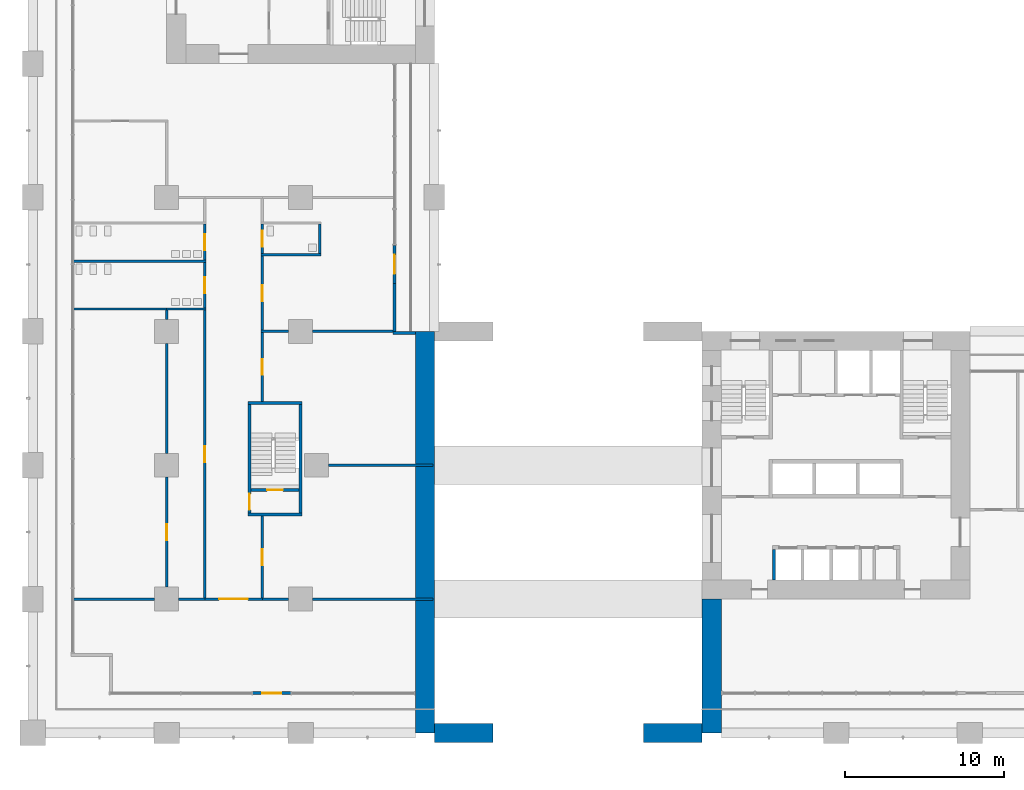
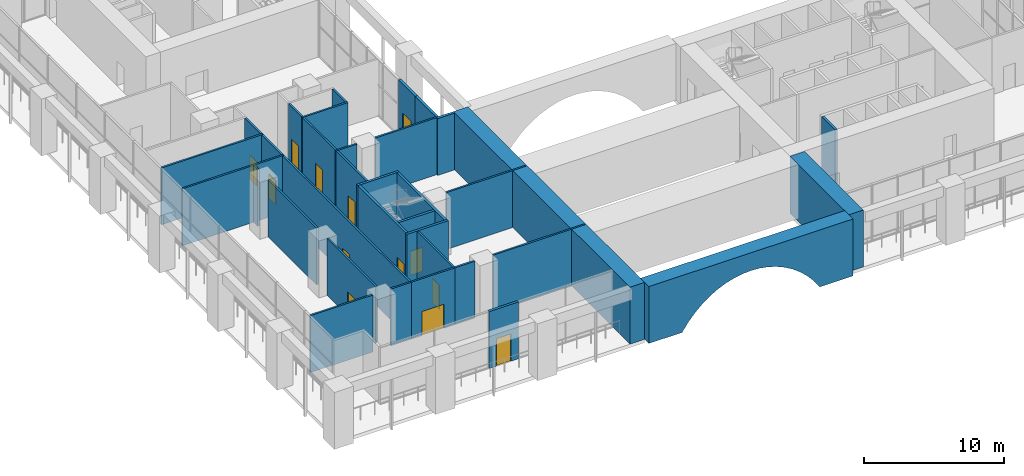
# One storey, part 10 of 26: 36 walls, 13 doors, 13 openings.
"""IFC4 building model written with IfcOpenShell, lengths in metres."""

from ifc_helpers import new_model, si_unit, direction, frame, frame_2d, origin, place, context, subcontext, project, spatial, polyline, rectangle, outline, extrude, material, layer, layer_set, type_object, element, fill, save


model = new_model("IFC4")

# Units and contexts
model_context = context("Model", 3, precision=1e-05, world=origin(), true_north=direction((0.0, 1.0)))
body_context = subcontext(model_context, "Body", "Model", "MODEL_VIEW")
ifc_project = project(units=[si_unit("LENGTHUNIT", "METRE"), si_unit("AREAUNIT", "SQUARE_METRE"), si_unit("VOLUMEUNIT", "CUBIC_METRE"), si_unit("PLANEANGLEUNIT", "RADIAN"), si_unit("MASSUNIT", "GRAM", prefix="KILO")], contexts=[model_context])

# Site, building, storey
site_placement = place(None, origin())
site = spatial("IfcSite", under=ifc_project, at=site_placement, CompositionType="ELEMENT")
building_placement = place(site_placement, origin())
building = spatial("IfcBuilding", under=site, at=building_placement, Name="Vermilion Gate Residences", CompositionType="ELEMENT")
storey_placement = place(building_placement, frame((0.0, 0.0, 9.0)))
storey = spatial("IfcBuildingStorey", under=building, at=storey_placement, Name="L01", CompositionType="ELEMENT", Elevation=9.0)

# Wall, opening, door
ifc_material_1 = material(Name="Insulated steel stud wall with terracotta rainscreen", Category="masonry")
ifc_layer_1 = layer(ifc_material_1, 0.199951171875)
ifc_layer_set_1 = layer_set([ifc_layer_1], Name="EXTERNAL WALL 200 TERRACOTTA RAINSCREEN")
wall_type_1 = type_object("IfcWallType", Name="EXTERNAL WALL 200 TERRACOTTA RAINSCREEN", PredefinedType="SOLIDWALL", material=ifc_layer_set_1)
wall_1_placement = place(storey_placement, frame((13.800048828125, 2.5, 0.0), z_axis=(0.0, 0.0, 1.0), x_axis=(1.0, 0.0, 0.0)))
wall_1 = element("IfcWall", 1, at=wall_1_placement, inside=storey, type_object=wall_type_1, Name="External wall", PredefinedType="SOLIDWALL", context=body_context, shape_type="SweptSolid", body=[
    extrude(rectangle(XDim=2.39990234375, YDim=0.199951171875, at=frame_2d((1.199951171875, 0.0))), origin(), (0.0, 0.0, 1.0), 4.949951171875),
])
opening_1_placement = place(wall_1_placement, frame((0.60009765625, 0.0, 0.0)))
opening_1 = element("IfcOpeningElement", 2, at=opening_1_placement, cuts=wall_1, Name="Opening DE01001", PredefinedType="OPENING", context=body_context, shape_type="SweptSolid", body=[
    extrude(rectangle(XDim=1.199951171875, YDim=2.39990234375, at=frame_2d((0.60009765625, 1.199951171875))), frame((0.0, 0.10986328125, 0.0), z_axis=(0.0, -1.0, 0.0), x_axis=(1.0, 0.0, 0.0)), (0.0, 0.0, 1.0), 0.219970703125),
])
ifc_material_2 = material(Name="Aluminium and clear glass", Category="aluminium")
door_type_1 = type_object("IfcDoorType", Name="GLAZED EXTERNAL DOOR 1200 X 2400", OperationType="SINGLE_SWING_LEFT", PredefinedType="DOOR", material=ifc_material_2)
door_1_placement = place(opening_1_placement, frame((1.199951171875, 0.0, 0.0), z_axis=(0.0, 0.0, 1.0), x_axis=(-1.0, 0.0, 0.0)))
door_1 = element("IfcDoor", 3, at=door_1_placement, inside=storey, type_object=door_type_1, Name="Terrace door", OperationType="SINGLE_SWING_RIGHT", OverallHeight=2.39990234375, OverallWidth=1.199951171875, PredefinedType="DOOR", context=body_context, shape_type="SweptSolid", body=[
    extrude(rectangle(XDim=1.199951171875, YDim=2.39990234375, at=frame_2d((0.60009765625, 1.199951171875))), frame((0.0, 0.02490234375, 0.0), z_axis=(0.0, -1.0, 0.0), x_axis=(1.0, 0.0, 0.0)), (0.0, 0.0, 1.0), 0.050048828125),
])
fill(opening_1, door_1)

# Walls
wall_2_placement = place(storey_placement, frame((24.0, 25.10009765625, 0.0), z_axis=(0.0, 0.0, 1.0), x_axis=(-1.0, 0.0, 0.0)))
element("IfcWall", 4, at=wall_2_placement, inside=storey, type_object=wall_type_1, Name="External wall", PredefinedType="SOLIDWALL", context=body_context, shape_type="SweptSolid", body=[
    extrude(rectangle(XDim=1.39990234375, YDim=0.199951171875, at=frame_2d((0.699951171875, 0.0))), origin(), (0.0, 0.0, 1.0), 4.949951171875),
])
wall_3_placement = place(storey_placement, frame((22.699951171875, 25.199951171875, 0.0), z_axis=(0.0, 0.0, 1.0), x_axis=(0.0, 1.0, 0.0)))
element("IfcWall", 5, at=wall_3_placement, inside=storey, type_object=wall_type_1, Name="External wall", PredefinedType="SOLIDWALL", context=body_context, shape_type="SweptSolid", body=[
    extrude(rectangle(XDim=3.0, YDim=0.199951171875, at=frame_2d((1.5, 0.0))), origin(), (0.0, 0.0, 1.0), 4.949951171875),
])

# Wall, opening, door
wall_4_placement = place(storey_placement, frame((22.699951171875, 28.199951171875, 0.0), z_axis=(0.0, 0.0, 1.0), x_axis=(0.0, 1.0, 0.0)))
wall_4 = element("IfcWall", 6, at=wall_4_placement, inside=storey, type_object=wall_type_1, Name="External wall", PredefinedType="SOLIDWALL", context=body_context, shape_type="SweptSolid", body=[
    extrude(rectangle(XDim=2.400146484375, YDim=0.199951171875, at=frame_2d((1.2001953125, 0.0))), origin(), (0.0, 0.0, 1.0), 4.949951171875),
])
opening_2_placement = place(wall_4_placement, frame((0.60009765625, 0.0, 0.0)))
opening_2 = element("IfcOpeningElement", 7, at=opening_2_placement, cuts=wall_4, Name="Opening DE01002", PredefinedType="OPENING", context=body_context, shape_type="SweptSolid", body=[
    extrude(rectangle(XDim=1.199951171875, YDim=2.39990234375, at=frame_2d((0.60009765625, 1.199951171875))), frame((0.0, 0.10986328125, 0.0), z_axis=(0.0, -1.0, 0.0), x_axis=(1.0, 0.0, 0.0)), (0.0, 0.0, 1.0), 0.219970703125),
])
door_2_placement = place(opening_2_placement, frame((1.199951171875, 0.0, 0.0), z_axis=(0.0, 0.0, 1.0), x_axis=(-1.0, 0.0, 0.0)))
door_2 = element("IfcDoor", 8, at=door_2_placement, inside=storey, type_object=door_type_1, Name="Terrace door", OperationType="SINGLE_SWING_RIGHT", OverallHeight=2.39990234375, OverallWidth=1.199951171875, PredefinedType="DOOR", context=body_context, shape_type="SweptSolid", body=[
    extrude(rectangle(XDim=1.199951171875, YDim=2.39990234375, at=frame_2d((0.60009765625, 1.199951171875))), frame((0.0, 0.02490234375, 0.0), z_axis=(0.0, -1.0, 0.0), x_axis=(1.0, 0.0, 0.0)), (0.0, 0.0, 1.0), 0.050048828125),
])
fill(opening_2, door_2)

# Walls
ifc_material_3 = material(Name="Gypsum board on steel studs", Category="steel")
ifc_layer_2 = layer(ifc_material_3, 0.14990234375)
ifc_layer_set_2 = layer_set([ifc_layer_2], Name="PARTITION 150 EI 60 (AMENITY)")
wall_type_2 = type_object("IfcWallType", Name="PARTITION 150 EI 60 (AMENITY)", PredefinedType="PARTITIONING", material=ifc_layer_set_2)
wall_5_placement = place(storey_placement, frame((2.5, 8.39990234375, 0.0), z_axis=(0.0, 0.0, 1.0), x_axis=(1.0, 0.0, 0.0)))
element("IfcWall", 9, at=wall_5_placement, inside=storey, type_object=wall_type_2, Name="Partition 1", PredefinedType="PARTITIONING", context=body_context, shape_type="SweptSolid", body=[
    extrude(rectangle(XDim=5.14990234375, YDim=0.14990234375, at=frame_2d((2.574951171875, 0.0))), origin(), (0.0, 0.0, 1.0), 4.949951171875),
])
wall_6_placement = place(storey_placement, frame((2.5, 26.60009765625, 0.0), z_axis=(0.0, 0.0, 1.0), x_axis=(1.0, 0.0, 0.0)))
element("IfcWall", 10, at=wall_6_placement, inside=storey, type_object=wall_type_2, Name="Partition 2", PredefinedType="PARTITIONING", context=body_context, shape_type="SweptSolid", body=[
    extrude(rectangle(XDim=5.89990234375, YDim=0.14990234375, at=frame_2d((2.949951171875, 0.0))), origin(), (0.0, 0.0, 1.0), 4.949951171875),
])
wall_7_placement = place(storey_placement, frame((2.5, 29.60009765625, 0.0), z_axis=(0.0, 0.0, 1.0), x_axis=(1.0, 0.0, 0.0)))
element("IfcWall", 11, at=wall_7_placement, inside=storey, type_object=wall_type_2, Name="Partition 3", PredefinedType="PARTITIONING", context=body_context, shape_type="SweptSolid", body=[
    extrude(rectangle(XDim=8.375, YDim=0.14990234375, at=frame_2d((4.1875, 0.0))), origin(), (0.0, 0.0, 1.0), 4.949951171875),
])

# Wall, opening, door
wall_8_placement = place(storey_placement, frame((8.39990234375, 9.14990234375, 0.0), z_axis=(0.0, 0.0, 1.0), x_axis=(0.0, 1.0, 0.0)))
wall_8 = element("IfcWall", 12, at=wall_8_placement, inside=storey, type_object=wall_type_2, Name="Partition 6", PredefinedType="PARTITIONING", context=body_context, shape_type="SweptSolid", body=[
    extrude(rectangle(XDim=6.900146484375, YDim=0.14990234375, at=frame_2d((3.4501953125, 0.0))), origin(), (0.0, 0.0, 1.0), 4.949951171875),
])
opening_3_placement = place(wall_8_placement, frame((2.949951171875, 0.0, 0.0)))
opening_3 = element("IfcOpeningElement", 13, at=opening_3_placement, cuts=wall_8, Name="Opening DM01001", PredefinedType="OPENING", context=body_context, shape_type="SweptSolid", body=[
    extrude(rectangle(XDim=1.0, YDim=2.10009765625, at=frame_2d((0.5, 1.050048828125))), frame((0.0, 0.0849609375, 0.0), z_axis=(0.0, -1.0, 0.0), x_axis=(1.0, 0.0, 0.0)), (0.0, 0.0, 1.0), 0.169921875),
])
ifc_material_4 = material(Name="Steel", Category="steel")
door_type_2 = type_object("IfcDoorType", Name="DOOR 1000 X 2100 FD30 (AMENITY)", OperationType="SINGLE_SWING_LEFT", PredefinedType="DOOR", material=ifc_material_4)
door_3_placement = place(opening_3_placement, frame((1.0, 0.0, 0.0), z_axis=(0.0, 0.0, 1.0), x_axis=(-1.0, 0.0, 0.0)))
door_3 = element("IfcDoor", 14, at=door_3_placement, inside=storey, type_object=door_type_2, Name="Door L01 1", OperationType="SINGLE_SWING_LEFT", OverallHeight=2.10009765625, OverallWidth=1.0, PredefinedType="DOOR", context=body_context, shape_type="SweptSolid", body=[
    extrude(rectangle(XDim=1.0, YDim=2.10009765625, at=frame_2d((0.5, 1.050048828125))), frame((0.0, 0.02490234375, 0.0), z_axis=(0.0, -1.0, 0.0), x_axis=(1.0, 0.0, 0.0)), (0.0, 0.0, 1.0), 0.050048828125),
])
fill(opening_3, door_3)

# Walls
wall_9_placement = place(storey_placement, frame((8.39990234375, 17.550048828125, 0.0), z_axis=(0.0, 0.0, 1.0), x_axis=(0.0, 1.0, 0.0)))
element("IfcWall", 15, at=wall_9_placement, inside=storey, type_object=wall_type_2, Name="Partition 7", PredefinedType="PARTITIONING", context=body_context, shape_type="SweptSolid", body=[
    extrude(rectangle(XDim=6.89990234375, YDim=0.14990234375, at=frame_2d((3.449951171875, 0.0))), origin(), (0.0, 0.0, 1.0), 4.949951171875),
])
wall_10_placement = place(storey_placement, frame((8.39990234375, 25.949951171875, 0.0), z_axis=(0.0, 0.0, 1.0), x_axis=(0.0, 1.0, 0.0)))
element("IfcWall", 16, at=wall_10_placement, inside=storey, type_object=wall_type_2, Name="Partition 8", PredefinedType="PARTITIONING", context=body_context, shape_type="SweptSolid", body=[
    extrude(rectangle(XDim=0.574951171875, YDim=0.14990234375, at=frame_2d((0.28759765625, 0.0))), origin(), (0.0, 0.0, 1.0), 4.949951171875),
])
wall_11_placement = place(storey_placement, frame((9.14990234375, 8.39990234375, 0.0), z_axis=(0.0, 0.0, 1.0), x_axis=(1.0, 0.0, 0.0)))
element("IfcWall", 17, at=wall_11_placement, inside=storey, type_object=wall_type_2, Name="Partition 9", PredefinedType="PARTITIONING", context=body_context, shape_type="SweptSolid", body=[
    extrude(rectangle(XDim=1.650146484375, YDim=0.14990234375, at=frame_2d((0.8251953125, 0.0))), origin(), (0.0, 0.0, 1.0), 4.949951171875),
])
wall_12_placement = place(storey_placement, frame((8.39990234375, 26.60009765625, 0.0), z_axis=(0.0, 0.0, 1.0), x_axis=(1.0, 0.0, 0.0)))
element("IfcWall", 18, at=wall_12_placement, inside=storey, type_object=wall_type_2, Name="Partition 10", PredefinedType="PARTITIONING", context=body_context, shape_type="SweptSolid", body=[
    extrude(rectangle(XDim=2.47509765625, YDim=0.14990234375, at=frame_2d((1.237548828125, 0.0))), origin(), (0.0, 0.0, 1.0), 4.949951171875),
])

# Wall, opening, door
wall_13_placement = place(storey_placement, frame((10.800048828125, 8.47509765625, 0.0), z_axis=(0.0, 0.0, 1.0), x_axis=(0.0, 1.0, 0.0)))
wall_13 = element("IfcWall", 19, at=wall_13_placement, inside=storey, type_object=wall_type_2, Name="Partition 13", PredefinedType="PARTITIONING", context=body_context, shape_type="SweptSolid", body=[
    extrude(rectangle(XDim=18.0498046875, YDim=0.14990234375, at=frame_2d((9.02490234375, 0.0))), origin(), (0.0, 0.0, 1.0), 4.949951171875),
])
opening_4_placement = place(wall_13_placement, frame((8.52490234375, 0.0, 0.0)))
opening_4 = element("IfcOpeningElement", 20, at=opening_4_placement, cuts=wall_13, Name="Opening DM01002", PredefinedType="OPENING", context=body_context, shape_type="SweptSolid", body=[
    extrude(rectangle(XDim=1.0, YDim=2.10009765625, at=frame_2d((0.5, 1.050048828125))), frame((0.0, 0.0849609375, 0.0), z_axis=(0.0, -1.0, 0.0), x_axis=(1.0, 0.0, 0.0)), (0.0, 0.0, 1.0), 0.169921875),
])
door_4_placement = place(opening_4_placement, origin())
door_4 = element("IfcDoor", 21, at=door_4_placement, inside=storey, type_object=door_type_2, Name="Door L01 2", OperationType="SINGLE_SWING_LEFT", OverallHeight=2.10009765625, OverallWidth=1.0, PredefinedType="DOOR", context=body_context, shape_type="SweptSolid", body=[
    extrude(rectangle(XDim=1.0, YDim=2.10009765625, at=frame_2d((0.5, 1.050048828125))), frame((0.0, 0.02490234375, 0.0), z_axis=(0.0, -1.0, 0.0), x_axis=(1.0, 0.0, 0.0)), (0.0, 0.0, 1.0), 0.050048828125),
])
fill(opening_4, door_4)

wall_14_placement = place(storey_placement, frame((10.800048828125, 8.39990234375, 0.0), z_axis=(0.0, 0.0, 1.0), x_axis=(1.0, 0.0, 0.0)))
wall_14 = element("IfcWall", 22, at=wall_14_placement, inside=storey, type_object=wall_type_2, Name="Partition 14", PredefinedType="PARTITIONING", context=body_context, shape_type="SweptSolid", body=[
    extrude(rectangle(XDim=3.599853515625, YDim=0.14990234375, at=frame_2d((1.7998046875, 0.0))), origin(), (0.0, 0.0, 1.0), 4.949951171875),
])
opening_5_placement = place(wall_14_placement, frame((0.89990234375, 0.0, 0.0)))
opening_5 = element("IfcOpeningElement", 23, at=opening_5_placement, cuts=wall_14, Name="Opening DM01009", PredefinedType="OPENING", context=body_context, shape_type="SweptSolid", body=[
    extrude(rectangle(XDim=1.800048828125, YDim=2.10009765625, at=frame_2d((0.89990234375, 1.050048828125))), frame((0.0, 0.0849609375, 0.0), z_axis=(0.0, -1.0, 0.0), x_axis=(1.0, 0.0, 0.0)), (0.0, 0.0, 1.0), 0.169921875),
])
ifc_material_5 = material(Name="Steel", Category="steel")
door_type_3 = type_object("IfcDoorType", Name="DOUBLE DOOR 1800 X 2100 FD30 (AMENITY)", OperationType="DOUBLE_DOOR_SINGLE_SWING", PredefinedType="DOOR", material=ifc_material_5)
door_5_placement = place(opening_5_placement, origin())
door_5 = element("IfcDoor", 24, at=door_5_placement, inside=storey, type_object=door_type_3, Name="Door L01 9", OperationType="DOUBLE_DOOR_SINGLE_SWING", OverallHeight=2.10009765625, OverallWidth=1.800048828125, PredefinedType="DOOR", context=body_context, shape_type="SweptSolid", body=[
    extrude(rectangle(XDim=1.800048828125, YDim=2.10009765625, at=frame_2d((0.89990234375, 1.050048828125))), frame((0.0, 0.02490234375, 0.0), z_axis=(0.0, -1.0, 0.0), x_axis=(1.0, 0.0, 0.0)), (0.0, 0.0, 1.0), 0.050048828125),
])
fill(opening_5, door_5)

wall_15_placement = place(storey_placement, frame((10.800048828125, 26.675048828125, 0.0), z_axis=(0.0, 0.0, 1.0), x_axis=(0.0, 1.0, 0.0)))
wall_15 = element("IfcWall", 25, at=wall_15_placement, inside=storey, type_object=wall_type_2, Name="Partition 15", PredefinedType="PARTITIONING", context=body_context, shape_type="SweptSolid", body=[
    extrude(rectangle(XDim=2.849853515625, YDim=0.14990234375, at=frame_2d((1.4248046875, 0.0))), origin(), (0.0, 0.0, 1.0), 4.949951171875),
])
opening_6_placement = place(wall_15_placement, frame((0.925048828125, 0.0, 0.0)))
opening_6 = element("IfcOpeningElement", 26, at=opening_6_placement, cuts=wall_15, Name="Opening DM01003", PredefinedType="OPENING", context=body_context, shape_type="SweptSolid", body=[
    extrude(rectangle(XDim=1.0, YDim=2.10009765625, at=frame_2d((0.5, 1.050048828125))), frame((0.0, 0.0849609375, 0.0), z_axis=(0.0, -1.0, 0.0), x_axis=(1.0, 0.0, 0.0)), (0.0, 0.0, 1.0), 0.169921875),
])
door_6_placement = place(opening_6_placement, origin())
door_6 = element("IfcDoor", 27, at=door_6_placement, inside=storey, type_object=door_type_2, Name="Door L01 3", OperationType="SINGLE_SWING_LEFT", OverallHeight=2.10009765625, OverallWidth=1.0, PredefinedType="DOOR", context=body_context, shape_type="SweptSolid", body=[
    extrude(rectangle(XDim=1.0, YDim=2.10009765625, at=frame_2d((0.5, 1.050048828125))), frame((0.0, 0.02490234375, 0.0), z_axis=(0.0, -1.0, 0.0), x_axis=(1.0, 0.0, 0.0)), (0.0, 0.0, 1.0), 0.050048828125),
])
fill(opening_6, door_6)

wall_16_placement = place(storey_placement, frame((10.800048828125, 29.675048828125, 0.0), z_axis=(0.0, 0.0, 1.0), x_axis=(0.0, 1.0, 0.0)))
wall_16 = element("IfcWall", 28, at=wall_16_placement, inside=storey, type_object=wall_type_2, Name="Partition 16", PredefinedType="PARTITIONING", context=body_context, shape_type="SweptSolid", body=[
    extrude(rectangle(XDim=2.25, YDim=0.14990234375, at=frame_2d((1.125, 0.0))), origin(), (0.0, 0.0, 1.0), 4.949951171875),
])
opening_7_placement = place(wall_16_placement, frame((0.625, 0.0, 0.0)))
opening_7 = element("IfcOpeningElement", 29, at=opening_7_placement, cuts=wall_16, Name="Opening DM01004", PredefinedType="OPENING", context=body_context, shape_type="SweptSolid", body=[
    extrude(rectangle(XDim=1.0, YDim=2.10009765625, at=frame_2d((0.5, 1.050048828125))), frame((0.0, 0.0849609375, 0.0), z_axis=(0.0, -1.0, 0.0), x_axis=(1.0, 0.0, 0.0)), (0.0, 0.0, 1.0), 0.169921875),
])
door_7_placement = place(opening_7_placement, origin())
door_7 = element("IfcDoor", 30, at=door_7_placement, inside=storey, type_object=door_type_2, Name="Door L01 4", OperationType="SINGLE_SWING_LEFT", OverallHeight=2.10009765625, OverallWidth=1.0, PredefinedType="DOOR", context=body_context, shape_type="SweptSolid", body=[
    extrude(rectangle(XDim=1.0, YDim=2.10009765625, at=frame_2d((0.5, 1.050048828125))), frame((0.0, 0.02490234375, 0.0), z_axis=(0.0, -1.0, 0.0), x_axis=(1.0, 0.0, 0.0)), (0.0, 0.0, 1.0), 0.050048828125),
])
fill(opening_7, door_7)

wall_17_placement = place(storey_placement, frame((14.39990234375, 8.47509765625, 0.0), z_axis=(0.0, 0.0, 1.0), x_axis=(0.0, 1.0, 0.0)))
wall_17 = element("IfcWall", 31, at=wall_17_placement, inside=storey, type_object=wall_type_2, Name="Partition 19", PredefinedType="PARTITIONING", context=body_context, shape_type="SweptSolid", body=[
    extrude(rectangle(XDim=5.125, YDim=0.14990234375, at=frame_2d((2.5625, 0.0))), origin(), (0.0, 0.0, 1.0), 4.949951171875),
])
opening_8_placement = place(wall_17_placement, frame((2.0625, 0.0, 0.0)))
opening_8 = element("IfcOpeningElement", 32, at=opening_8_placement, cuts=wall_17, Name="Opening DM01005", PredefinedType="OPENING", context=body_context, shape_type="SweptSolid", body=[
    extrude(rectangle(XDim=1.0, YDim=2.10009765625, at=frame_2d((0.5, 1.050048828125))), frame((0.0, 0.0849609375, 0.0), z_axis=(0.0, -1.0, 0.0), x_axis=(1.0, 0.0, 0.0)), (0.0, 0.0, 1.0), 0.169921875),
])
door_8_placement = place(opening_8_placement, origin())
door_8 = element("IfcDoor", 33, at=door_8_placement, inside=storey, type_object=door_type_2, Name="Door L01 5", OperationType="SINGLE_SWING_LEFT", OverallHeight=2.10009765625, OverallWidth=1.0, PredefinedType="DOOR", context=body_context, shape_type="SweptSolid", body=[
    extrude(rectangle(XDim=1.0, YDim=2.10009765625, at=frame_2d((0.5, 1.050048828125))), frame((0.0, 0.02490234375, 0.0), z_axis=(0.0, -1.0, 0.0), x_axis=(1.0, 0.0, 0.0)), (0.0, 0.0, 1.0), 0.050048828125),
])
fill(opening_8, door_8)

# Walls
wall_18_placement = place(storey_placement, frame((14.39990234375, 8.39990234375, 0.0), z_axis=(0.0, 0.0, 1.0), x_axis=(1.0, 0.0, 0.0)))
element("IfcWall", 34, at=wall_18_placement, inside=storey, type_object=wall_type_2, Name="Partition 20", PredefinedType="PARTITIONING", context=body_context, shape_type="SweptSolid", body=[
    extrude(rectangle(XDim=1.650146484375, YDim=0.14990234375, at=frame_2d((0.8251953125, 0.0))), origin(), (0.0, 0.0, 1.0), 4.949951171875),
])
wall_19_placement = place(storey_placement, frame((17.550048828125, 8.39990234375, 0.0), z_axis=(0.0, 0.0, 1.0), x_axis=(1.0, 0.0, 0.0)))
element("IfcWall", 35, at=wall_19_placement, inside=storey, type_object=wall_type_2, Name="Partition 21", PredefinedType="PARTITIONING", context=body_context, shape_type="SweptSolid", body=[
    extrude(rectangle(XDim=7.550048828125, YDim=0.14990234375, at=frame_2d((3.77490234375, 0.0))), origin(), (0.0, 0.0, 1.0), 4.949951171875),
])

# Wall, opening, door
wall_20_placement = place(storey_placement, frame((14.39990234375, 20.800048828125, 0.0), z_axis=(0.0, 0.0, 1.0), x_axis=(0.0, 1.0, 0.0)))
wall_20 = element("IfcWall", 36, at=wall_20_placement, inside=storey, type_object=wall_type_2, Name="Partition 22", PredefinedType="PARTITIONING", context=body_context, shape_type="SweptSolid", body=[
    extrude(rectangle(XDim=4.324951171875, YDim=0.14990234375, at=frame_2d((2.16259765625, 0.0))), origin(), (0.0, 0.0, 1.0), 4.949951171875),
])
opening_9_placement = place(wall_20_placement, frame((1.66259765625, 0.0, 0.0)))
opening_9 = element("IfcOpeningElement", 37, at=opening_9_placement, cuts=wall_20, Name="Opening DM01006", PredefinedType="OPENING", context=body_context, shape_type="SweptSolid", body=[
    extrude(rectangle(XDim=1.0, YDim=2.10009765625, at=frame_2d((0.5, 1.050048828125))), frame((0.0, 0.0849609375, 0.0), z_axis=(0.0, -1.0, 0.0), x_axis=(1.0, 0.0, 0.0)), (0.0, 0.0, 1.0), 0.169921875),
])
door_9_placement = place(opening_9_placement, frame((1.0, 0.0, 0.0), z_axis=(0.0, 0.0, 1.0), x_axis=(-1.0, 0.0, 0.0)))
door_9 = element("IfcDoor", 38, at=door_9_placement, inside=storey, type_object=door_type_2, Name="Door L01 6", OperationType="SINGLE_SWING_LEFT", OverallHeight=2.10009765625, OverallWidth=1.0, PredefinedType="DOOR", context=body_context, shape_type="SweptSolid", body=[
    extrude(rectangle(XDim=1.0, YDim=2.10009765625, at=frame_2d((0.5, 1.050048828125))), frame((0.0, 0.02490234375, 0.0), z_axis=(0.0, -1.0, 0.0), x_axis=(1.0, 0.0, 0.0)), (0.0, 0.0, 1.0), 0.050048828125),
])
fill(opening_9, door_9)

wall_21_placement = place(storey_placement, frame((14.39990234375, 25.27490234375, 0.0), z_axis=(0.0, 0.0, 1.0), x_axis=(0.0, 1.0, 0.0)))
wall_21 = element("IfcWall", 39, at=wall_21_placement, inside=storey, type_object=wall_type_2, Name="Partition 23", PredefinedType="PARTITIONING", context=body_context, shape_type="SweptSolid", body=[
    extrude(rectangle(XDim=4.650146484375, YDim=0.14990234375, at=frame_2d((2.3251953125, 0.0))), origin(), (0.0, 0.0, 1.0), 4.949951171875),
])
opening_10_placement = place(wall_21_placement, frame((1.824951171875, 0.0, 0.0)))
opening_10 = element("IfcOpeningElement", 40, at=opening_10_placement, cuts=wall_21, Name="Opening DM01008", PredefinedType="OPENING", context=body_context, shape_type="SweptSolid", body=[
    extrude(rectangle(XDim=1.0, YDim=2.10009765625, at=frame_2d((0.5, 1.050048828125))), frame((0.0, 0.0849609375, 0.0), z_axis=(0.0, -1.0, 0.0), x_axis=(1.0, 0.0, 0.0)), (0.0, 0.0, 1.0), 0.169921875),
])
door_10_placement = place(opening_10_placement, frame((1.0, 0.0, 0.0), z_axis=(0.0, 0.0, 1.0), x_axis=(-1.0, 0.0, 0.0)))
door_10 = element("IfcDoor", 41, at=door_10_placement, inside=storey, type_object=door_type_2, Name="Door L01 8", OperationType="SINGLE_SWING_RIGHT", OverallHeight=2.10009765625, OverallWidth=1.0, PredefinedType="DOOR", context=body_context, shape_type="SweptSolid", body=[
    extrude(rectangle(XDim=1.0, YDim=2.10009765625, at=frame_2d((0.5, 1.050048828125))), frame((0.0, 0.02490234375, 0.0), z_axis=(0.0, -1.0, 0.0), x_axis=(1.0, 0.0, 0.0)), (0.0, 0.0, 1.0), 0.050048828125),
])
fill(opening_10, door_10)

# Walls
wall_22_placement = place(storey_placement, frame((14.324951171875, 25.199951171875, 0.0), z_axis=(0.0, 0.0, 1.0), x_axis=(1.0, 0.0, 0.0)))
element("IfcWall", 42, at=wall_22_placement, inside=storey, type_object=wall_type_2, Name="Partition 24", PredefinedType="PARTITIONING", context=body_context, shape_type="SweptSolid", body=[
    extrude(rectangle(XDim=1.72509765625, YDim=0.14990234375, at=frame_2d((0.862548828125, 0.0))), origin(), (0.0, 0.0, 1.0), 4.949951171875),
])
wall_23_placement = place(storey_placement, frame((17.550048828125, 25.199951171875, 0.0), z_axis=(0.0, 0.0, 1.0), x_axis=(1.0, 0.0, 0.0)))
element("IfcWall", 43, at=wall_23_placement, inside=storey, type_object=wall_type_2, Name="Partition 25", PredefinedType="PARTITIONING", context=body_context, shape_type="SweptSolid", body=[
    extrude(rectangle(XDim=5.14990234375, YDim=0.14990234375, at=frame_2d((2.574951171875, 0.0))), origin(), (0.0, 0.0, 1.0), 4.949951171875),
])

# Wall, opening, door
wall_24_placement = place(storey_placement, frame((14.39990234375, 30.074951171875, 0.0), z_axis=(0.0, 0.0, 1.0), x_axis=(0.0, 1.0, 0.0)))
wall_24 = element("IfcWall", 44, at=wall_24_placement, inside=storey, type_object=wall_type_2, Name="Partition 26", PredefinedType="PARTITIONING", context=body_context, shape_type="SweptSolid", body=[
    extrude(rectangle(XDim=1.85009765625, YDim=0.14990234375, at=frame_2d((0.925048828125, 0.0))), origin(), (0.0, 0.0, 1.0), 4.949951171875),
])
opening_11_placement = place(wall_24_placement, frame((0.425048828125, 0.0, 0.0)))
opening_11 = element("IfcOpeningElement", 45, at=opening_11_placement, cuts=wall_24, Name="Opening DM01007", PredefinedType="OPENING", context=body_context, shape_type="SweptSolid", body=[
    extrude(rectangle(XDim=1.0, YDim=2.10009765625, at=frame_2d((0.5, 1.050048828125))), frame((0.0, 0.0849609375, 0.0), z_axis=(0.0, -1.0, 0.0), x_axis=(1.0, 0.0, 0.0)), (0.0, 0.0, 1.0), 0.169921875),
])
door_11_placement = place(opening_11_placement, origin())
door_11 = element("IfcDoor", 46, at=door_11_placement, inside=storey, type_object=door_type_2, Name="Door L01 7", OperationType="SINGLE_SWING_RIGHT", OverallHeight=2.10009765625, OverallWidth=1.0, PredefinedType="DOOR", context=body_context, shape_type="SweptSolid", body=[
    extrude(rectangle(XDim=1.0, YDim=2.10009765625, at=frame_2d((0.5, 1.050048828125))), frame((0.0, 0.02490234375, 0.0), z_axis=(0.0, -1.0, 0.0), x_axis=(1.0, 0.0, 0.0)), (0.0, 0.0, 1.0), 0.050048828125),
])
fill(opening_11, door_11)

# Walls
wall_25_placement = place(storey_placement, frame((14.324951171875, 30.0, 0.0), z_axis=(0.0, 0.0, 1.0), x_axis=(1.0, 0.0, 0.0)))
element("IfcWall", 47, at=wall_25_placement, inside=storey, type_object=wall_type_2, Name="Partition 27", PredefinedType="PARTITIONING", context=body_context, shape_type="SweptSolid", body=[
    extrude(rectangle(XDim=3.75, YDim=0.14990234375, at=frame_2d((1.875, 0.0))), origin(), (0.0, 0.0, 1.0), 4.949951171875),
])
wall_26_placement = place(storey_placement, frame((18.550048828125, 16.800048828125, 0.0), z_axis=(0.0, 0.0, 1.0), x_axis=(1.0, 0.0, 0.0)))
element("IfcWall", 48, at=wall_26_placement, inside=storey, type_object=wall_type_2, Name="Partition 32", PredefinedType="PARTITIONING", context=body_context, shape_type="SweptSolid", body=[
    extrude(rectangle(XDim=6.550048828125, YDim=0.14990234375, at=frame_2d((3.27490234375, 0.0))), origin(), (0.0, 0.0, 1.0), 4.949951171875),
])
wall_27_placement = place(storey_placement, frame((18.0, 30.074951171875, 0.0), z_axis=(0.0, 0.0, 1.0), x_axis=(0.0, 1.0, 0.0)))
element("IfcWall", 49, at=wall_27_placement, inside=storey, type_object=wall_type_2, Name="Partition 33", PredefinedType="PARTITIONING", context=body_context, shape_type="SweptSolid", body=[
    extrude(rectangle(XDim=1.85009765625, YDim=0.14990234375, at=frame_2d((0.925048828125, 0.0))), origin(), (0.0, 0.0, 1.0), 4.949951171875),
])
ifc_material_6 = material(Name="Concrete C60", Category="concrete")
ifc_layer_3 = layer(ifc_material_6, 0.199951171875)
ifc_layer_set_3 = layer_set([ifc_layer_3], Name="RC CORE INTERNAL WALL 200 C60")
wall_type_3 = type_object("IfcWallType", Name="RC CORE INTERNAL WALL 200 C60", PredefinedType="SHEAR", material=ifc_layer_set_3)
wall_28_placement = place(storey_placement, frame((46.5, 9.60009765625, 0.0), z_axis=(0.0, 0.0, 1.0), x_axis=(0.0, 1.0, 0.0)))
element("IfcWall", 50, at=wall_28_placement, inside=storey, type_object=wall_type_3, Name="Core internal wall A01-LR-D0", PredefinedType="SHEAR", context=body_context, shape_type="SweptSolid", body=[
    extrude(rectangle(XDim=1.89990234375, YDim=0.199951171875, at=frame_2d((0.949951171875, 0.0))), origin(), (0.0, 0.0, 1.0), 4.97998046875),
])

# Wall, opening, door
wall_29_placement = place(storey_placement, frame((13.60009765625, 13.800048828125, 0.0), z_axis=(0.0, 0.0, 1.0), x_axis=(0.0, 1.0, 0.0)))
wall_29 = element("IfcWall", 51, at=wall_29_placement, inside=storey, type_object=wall_type_3, Name="Core internal wall C01-W", PredefinedType="SHEAR", context=body_context, shape_type="SweptSolid", body=[
    extrude(rectangle(XDim=6.800048828125, YDim=0.199951171875, at=frame_2d((3.39990234375, 0.0))), origin(), (0.0, 0.0, 1.0), 4.97998046875),
])
opening_12_placement = place(wall_29_placement, frame((0.199951171875, 0.0, 0.0)))
opening_12 = element("IfcOpeningElement", 52, at=opening_12_placement, cuts=wall_29, Name="Opening DK01201", PredefinedType="OPENING", context=body_context, shape_type="SweptSolid", body=[
    extrude(rectangle(XDim=1.0, YDim=2.10009765625, at=frame_2d((0.5, 1.050048828125))), frame((0.0, 0.10986328125, 0.0), z_axis=(0.0, -1.0, 0.0), x_axis=(1.0, 0.0, 0.0)), (0.0, 0.0, 1.0), 0.219970703125),
])
ifc_material_7 = material(Name="Steel", Category="steel")
door_type_4 = type_object("IfcDoorType", Name="FIRE DOOR FD60 1000 X 2100", OperationType="SINGLE_SWING_LEFT", PredefinedType="DOOR", material=ifc_material_7)
door_12_placement = place(opening_12_placement, origin())
door_12 = element("IfcDoor", 53, at=door_12_placement, inside=storey, type_object=door_type_4, Name="Stair vestibule door C01", OperationType="SINGLE_SWING_LEFT", OverallHeight=2.10009765625, OverallWidth=1.0, PredefinedType="DOOR", context=body_context, shape_type="SweptSolid", body=[
    extrude(rectangle(XDim=1.0, YDim=2.10009765625, at=frame_2d((0.5, 1.050048828125))), frame((0.0, 0.02490234375, 0.0), z_axis=(0.0, -1.0, 0.0), x_axis=(1.0, 0.0, 0.0)), (0.0, 0.0, 1.0), 0.050048828125),
])
fill(opening_12, door_12)

# Walls
wall_30_placement = place(storey_placement, frame((16.800048828125, 13.800048828125, 0.0), z_axis=(0.0, 0.0, 1.0), x_axis=(0.0, 1.0, 0.0)))
element("IfcWall", 54, at=wall_30_placement, inside=storey, type_object=wall_type_3, Name="Core internal wall C01-E", PredefinedType="SHEAR", context=body_context, shape_type="SweptSolid", body=[
    extrude(rectangle(XDim=6.800048828125, YDim=0.199951171875, at=frame_2d((3.39990234375, 0.0))), origin(), (0.0, 0.0, 1.0), 4.97998046875),
])
for number, where, z_axis, x_axis, name in (
    (55, (13.5, 13.699951171875, 0.0), (0.0, 0.0, 1.0), (1.0, 0.0, 0.0), "Core internal wall C01-S"),
    (56, (13.5, 20.699951171875, 0.0), (0.0, 0.0, 1.0), (1.0, 0.0, 0.0), "Core internal wall C01-N"),
):
    element("IfcWall", number, at=place(storey_placement, frame(where, z_axis=z_axis, x_axis=x_axis)), inside=storey, type_object=wall_type_3, Name=name, PredefinedType="SHEAR", context=body_context, shape_type="SweptSolid", body=[
        extrude(rectangle(XDim=3.39990234375, YDim=0.199951171875, at=frame_2d((1.699951171875, 0.0))), origin(), (0.0, 0.0, 1.0), 4.97998046875),
    ])

# Wall, opening, door
wall_31_placement = place(storey_placement, frame((13.699951171875, 15.25, 0.0), z_axis=(0.0, 0.0, 1.0), x_axis=(1.0, 0.0, 0.0)))
wall_31 = element("IfcWall", 57, at=wall_31_placement, inside=storey, type_object=wall_type_3, Name="Core internal wall C01-P", PredefinedType="SHEAR", context=body_context, shape_type="SweptSolid", body=[
    extrude(rectangle(XDim=3.0, YDim=0.199951171875, at=frame_2d((1.5, 0.0))), origin(), (0.0, 0.0, 1.0), 4.97998046875),
])
opening_13_placement = place(wall_31_placement, frame((1.0, 0.0, 0.0)))
opening_13 = element("IfcOpeningElement", 58, at=opening_13_placement, cuts=wall_31, Name="Opening DK01202", PredefinedType="OPENING", context=body_context, shape_type="SweptSolid", body=[
    extrude(rectangle(XDim=1.0, YDim=2.10009765625, at=frame_2d((0.5, 1.050048828125))), frame((0.0, 0.10986328125, 0.0), z_axis=(0.0, -1.0, 0.0), x_axis=(1.0, 0.0, 0.0)), (0.0, 0.0, 1.0), 0.219970703125),
])
door_13_placement = place(opening_13_placement, origin())
door_13 = element("IfcDoor", 59, at=door_13_placement, inside=storey, type_object=door_type_4, Name="Stair door C01", OperationType="SINGLE_SWING_LEFT", OverallHeight=2.10009765625, OverallWidth=1.0, PredefinedType="DOOR", context=body_context, shape_type="SweptSolid", body=[
    extrude(rectangle(XDim=1.0, YDim=2.10009765625, at=frame_2d((0.5, 1.050048828125))), frame((0.0, 0.02490234375, 0.0), z_axis=(0.0, -1.0, 0.0), x_axis=(1.0, 0.0, 0.0)), (0.0, 0.0, 1.0), 0.050048828125),
])
fill(opening_13, door_13)

# Walls
ifc_material_8 = material(Name="Concrete C70 vermilion pigmented", Category="concrete")
ifc_layer_4 = layer(ifc_material_8, 1.199951171875)
ifc_layer_set_4 = layer_set([ifc_layer_4], Name="RC GATE PIER WALL 1200 C70 VERMILION")
wall_type_4 = type_object("IfcWallType", Name="RC GATE PIER WALL 1200 C70 VERMILION", PredefinedType="SHEAR", material=ifc_layer_set_4)
wall_32_placement = place(storey_placement, frame((24.60009765625, 0.0, 0.0), z_axis=(0.0, 0.0, 1.0), x_axis=(0.0, 1.0, 0.0)))
element("IfcWall", 60, at=wall_32_placement, inside=storey, type_object=wall_type_4, Name="Gate pier wall W L01", PredefinedType="SHEAR", context=body_context, shape_type="SweptSolid", body=[
    extrude(rectangle(XDim=25.199951171875, YDim=1.199951171875, at=frame_2d((12.60009765625, 0.0))), origin(), (0.0, 0.0, 1.0), 4.949951171875),
])
wall_33_placement = place(storey_placement, frame((42.60009765625, 0.0, 0.0), z_axis=(0.0, 0.0, 1.0), x_axis=(0.0, 1.0, 0.0)))
element("IfcWall", 61, at=wall_33_placement, inside=storey, type_object=wall_type_4, Name="Gate pier wall E L01", PredefinedType="SHEAR", context=body_context, shape_type="SweptSolid", body=[
    extrude(rectangle(XDim=8.39990234375, YDim=1.199951171875, at=frame_2d((4.199951171875, 0.0))), origin(), (0.0, 0.0, 1.0), 4.949951171875),
])
ifc_material_9 = material(Name="Concrete C70 vermilion pigmented", Category="concrete")
ifc_layer_5 = layer(ifc_material_9, 1.199951171875)
ifc_layer_set_5 = layer_set([ifc_layer_5], Name="RC PORTAL ARCH WALL 1200 C70 VERMILION")
wall_type_5 = type_object("IfcWallType", Name="RC PORTAL ARCH WALL 1200 C70 VERMILION", PredefinedType="SHEAR", material=ifc_layer_set_5)
wall_34_placement = place(storey_placement, frame((25.199951171875, 0.60009765625, 4.949951171875), z_axis=(0.0, 1.0, 0.0), x_axis=(1.0, 0.0, 0.0)))
element("IfcWall", 62, at=wall_34_placement, inside=storey, type_object=wall_type_5, Name="Portal arch wall S up 1", PredefinedType="SHEAR", context=body_context, shape_type="SweptSolid", body=[
    extrude(outline(polyline([(0.0, 0.0), (16.800048828125, 0.0), (16.800048828125, 4.949951171875), (14.053466796875, 4.949951171875), (13.9658203125, 4.803955078125), (13.4912109375, 4.15673828125), (12.967529296875, 3.570068359375), (12.400146484375, 3.0498046875), (11.794189453125, 2.600830078125), (11.1552734375, 2.2275390625), (10.489990234375, 1.93310546875), (9.8046875, 1.720947265625), (9.105712890625, 1.5927734375), (8.400146484375, 1.550048828125), (7.6943359375, 1.5927734375), (6.995361328125, 1.720947265625), (6.31005859375, 1.93310546875), (5.644775390625, 2.2275390625), (5.005859375, 2.600830078125), (4.39990234375, 3.0498046875), (3.83251953125, 3.570068359375), (3.308837890625, 4.15673828125), (2.834228515625, 4.803955078125), (2.746826171875, 4.949951171875), (0.0, 4.949951171875), (0.0, 0.0)])), origin(), (0.0, 0.0, -1.0), 1.199951171875),
])

save(model, "model.ifc")
